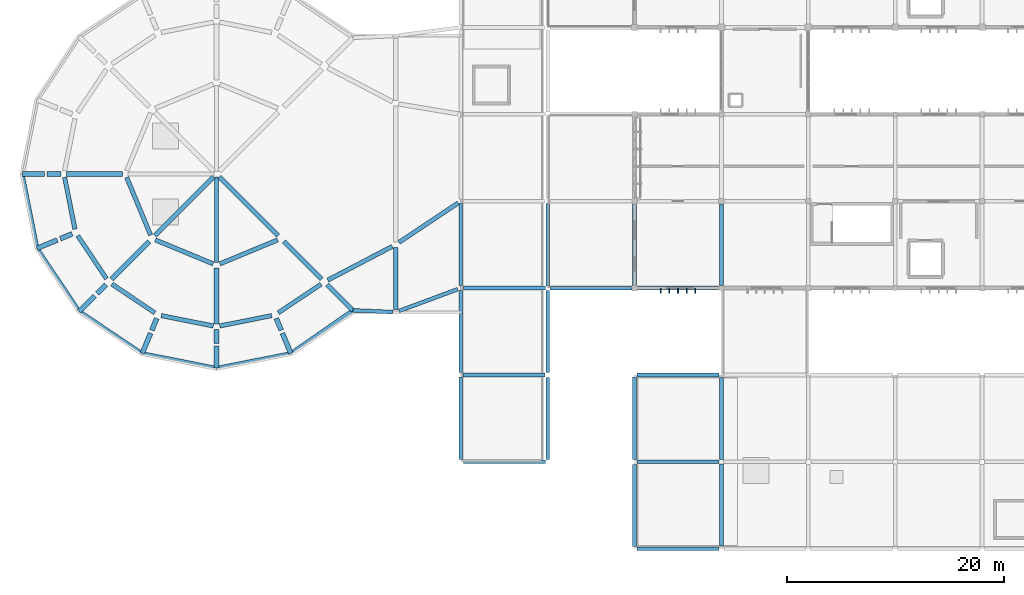
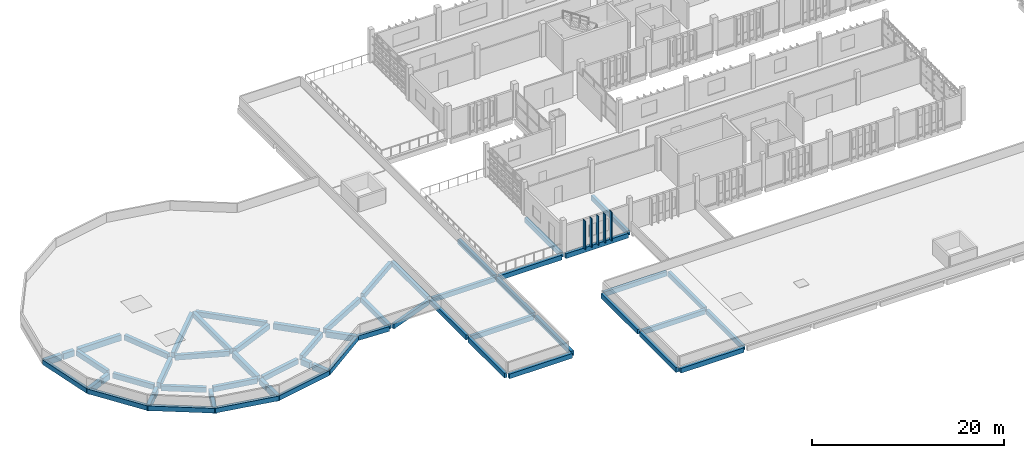
# One storey, part 2 of 48: 60 beams, 5 members.
"""IFC4 building model written with IfcOpenShell, lengths in metres."""

from ifc_helpers import new_model, si_unit, direction, frame, origin, origin_2d, place, context, subcontext, project, spatial, rectangle, extrude, material, material_profile, profile_set, type_object, element, save


model = new_model("IFC4")

# Units and contexts
model_context = context("Model", 3, precision=1e-05, world=origin(), true_north=direction((0.0, 1.0)))
body_context = subcontext(model_context, "Body", "Model", "MODEL_VIEW")
ifc_project = project(units=[si_unit("LENGTHUNIT", "METRE"), si_unit("AREAUNIT", "SQUARE_METRE"), si_unit("VOLUMEUNIT", "CUBIC_METRE"), si_unit("PLANEANGLEUNIT", "RADIAN"), si_unit("MASSUNIT", "GRAM", prefix="KILO")], contexts=[model_context])

# Site, building, storey
site_placement = place(None, origin())
site = spatial("IfcSite", under=ifc_project, at=site_placement, CompositionType="ELEMENT")
building_placement = place(site_placement, origin())
building = spatial("IfcBuilding", under=site, at=building_placement, Name="Jelvoka-Kovrelna Polytechnic", CompositionType="ELEMENT")
storey_placement = place(building_placement, frame((0.0, 0.0, 22.199951171875)))
storey = spatial("IfcBuildingStorey", under=building, at=storey_placement, Name="L06", CompositionType="ELEMENT", Elevation=22.199951171875)

# Beams
ifc_material_1 = material(Name="Concrete C35/45", Category="concrete")
ifc_material_profile_1 = material_profile(ifc_material_1, rectangle(XDim=0.35009765625, YDim=0.60009765625, at=origin_2d()), Name="RC 350x600")
ifc_profile_set_1 = profile_set([ifc_material_profile_1], Name="Concrete C35/45")
beam_type_1 = type_object("IfcBeamType", Name="Beam_RC_350x600", PredefinedType="BEAM", material=ifc_profile_set_1)
for number, where, z_axis, x_axis, name in (
    (1, (64.0, 32.2548828125, -0.5400390625), (0.0, 1.0, 0.0), (-1.0, 0.0, 0.0), "L06 beam 1638"),
    (2, (72.0, 32.2548828125, -0.5400390625), (0.0, 1.0, 0.0), (-1.0, 0.0, 0.0), "L06 beam 1640"),
):
    element("IfcBeam", number, at=place(storey_placement, frame(where, z_axis=z_axis, x_axis=x_axis)), inside=storey, type_object=beam_type_1, Name=name, PredefinedType="BEAM", context=body_context, shape_type="SweptSolid", body=[
        extrude(rectangle(XDim=0.35009765625, YDim=0.60009765625, at=origin_2d()), origin(), (0.0, 0.0, 1.0), 7.490234375),
    ])
for number, where, z_axis, x_axis, name in (
    (3, (56.0, 32.205078125, -0.52001953125), (0.0, 1.0, 0.0), (-1.0, 0.0, 0.0), "L06 beam 1779"),
    (4, (64.22998046875, 16.0, -0.5400390625), (1.0, 0.0, 0.0), (0.0, 1.0, 0.0), "L06 beam 2112"),
    (5, (64.0, 8.205078125, -0.5400390625), (0.0, 1.0, 0.0), (-1.0, 0.0, 0.0), "L06 beam 2134"),
    (6, (64.0, 16.22998046875, -0.5400390625), (0.0, 1.0, 0.0), (-1.0, 0.0, 0.0), "L06 beam 2135"),
    (7, (72.0, 8.22998046875, -0.5400390625), (0.0, 1.0, 0.0), (-1.0, 0.0, 0.0), "L06 beam 2136"),
    (8, (72.0, 16.205078125, -0.5400390625), (0.0, 1.0, 0.0), (-1.0, 0.0, 0.0), "L06 beam 2137"),
    (9, (48.205078125, 24.0, -0.510009765625), (1.0, 0.0, 0.0), (0.0, 1.0, 0.0), "L06 beam 2159"),
    (10, (48.22998046875, 32.0, -0.510009765625), (1.0, 0.0, 0.0), (0.0, 1.0, 0.0), "L06 beam 2160"),
    (11, (48.0, 16.22998046875, -0.510009765625), (0.0, 1.0, 0.0), (-1.0, 0.0, 0.0), "L06 beam 2166"),
    (12, (48.0, 24.205078125, -0.510009765625), (0.0, 1.0, 0.0), (-1.0, 0.0, 0.0), "L06 beam 2167"),
    (13, (48.0, 32.22998046875, -0.510009765625), (0.0, 1.0, 0.0), (-1.0, 0.0, 0.0), "L06 beam 2168"),
    (14, (56.0, 16.205078125, -0.510009765625), (0.0, 1.0, 0.0), (-1.0, 0.0, 0.0), "L06 beam 2173"),
    (15, (56.0, 24.22998046875, -0.510009765625), (0.0, 1.0, 0.0), (-1.0, 0.0, 0.0), "L06 beam 2174"),
):
    element("IfcBeam", number, at=place(storey_placement, frame(where, z_axis=z_axis, x_axis=x_axis)), inside=storey, type_object=beam_type_1, Name=name, PredefinedType="BEAM", context=body_context, shape_type="SweptSolid", body=[
        extrude(rectangle(XDim=0.35009765625, YDim=0.60009765625, at=origin_2d()), origin(), (0.0, 0.0, 1.0), 7.56494140625),
    ])
ifc_material_2 = material(Name="Concrete C40/50", Category="concrete")
ifc_material_profile_2 = material_profile(ifc_material_2, rectangle(XDim=0.39990234375, YDim=0.64990234375, at=origin_2d()), Name="RC 400x650")
ifc_profile_set_2 = profile_set([ifc_material_profile_2], Name="Concrete C40/50")
beam_type_2 = type_object("IfcBeamType", Name="Beam_RC_400x650", PredefinedType="BEAM", material=ifc_profile_set_2)
beam_1_placement = place(storey_placement, frame((25.239013671875, 42.239013671875, -0.574951171875), z_axis=(-0.707106781187, -0.707106781187, 0.0), x_axis=(0.707106781187, -0.707106781187, 0.0)))
element("IfcBeam", 16, at=beam_1_placement, inside=storey, type_object=beam_type_2, Name="L06 beam 2676", PredefinedType="BEAM", context=body_context, shape_type="SweptSolid", body=[
    extrude(rectangle(XDim=0.39990234375, YDim=0.64990234375, at=origin_2d()), origin(), (0.0, 0.0, 1.0), 7.661865234375),
])
beam_2_placement = place(storey_placement, frame((25.5, 42.2451171875, -0.574951171875), z_axis=(0.0, -1.0, 0.0), x_axis=(1.0, 0.0, 0.0)))
element("IfcBeam", 17, at=beam_2_placement, inside=storey, type_object=beam_type_2, Name="L06 beam 2678", PredefinedType="BEAM", context=body_context, shape_type="SweptSolid", body=[
    extrude(rectangle(XDim=0.39990234375, YDim=0.64990234375, at=origin_2d()), origin(), (0.0, 0.0, 1.0), 7.89013671875),
])
beam_3_placement = place(storey_placement, frame((25.760986328125, 42.239013671875, -0.574951171875), z_axis=(0.707106781187, -0.707106781187, 0.0), x_axis=(0.707106781187, 0.707106781187, 0.0)))
element("IfcBeam", 18, at=beam_3_placement, inside=storey, type_object=beam_type_2, Name="L06 beam 2680", PredefinedType="BEAM", context=body_context, shape_type="SweptSolid", body=[
    extrude(rectangle(XDim=0.39990234375, YDim=0.64990234375, at=origin_2d()), origin(), (0.0, 0.0, 1.0), 7.661865234375),
])
for number, where, z_axis, x_axis, name in (
    (19, (17.229736328125, 42.1865234375, -0.574951171875), (0.382694255535, -0.923875049333, 0.0), (0.923875049333, 0.382694255535, 0.0), "L06 beam 2685"),
    (20, (19.873779296875, 36.430419921875, -0.574951171875), (0.923875049333, -0.382694255535, 0.0), (0.382694255535, 0.923875049333, 0.0), "L06 beam 2686"),
    (21, (25.8134765625, 34.229736328125, -0.574951171875), (0.923875049333, 0.382694255535, 0.0), (-0.382694255535, 0.923875049333, 0.0), "L06 beam 2687"),
):
    element("IfcBeam", number, at=place(storey_placement, frame(where, z_axis=z_axis, x_axis=x_axis)), inside=storey, type_object=beam_type_2, Name=name, PredefinedType="BEAM", context=body_context, shape_type="SweptSolid", body=[
        extrude(rectangle(XDim=0.39990234375, YDim=0.64990234375, at=origin_2d()), origin(), (0.0, 0.0, 1.0), 5.75048828125),
    ])
beam_4_placement = place(storey_placement, frame((11.50927734375, 42.202392578125, -0.574951171875), z_axis=(0.19505666289, -0.980791975019, 0.0), x_axis=(0.980791975019, 0.19505666289, 0.0)))
element("IfcBeam", 22, at=beam_4_placement, inside=storey, type_object=beam_type_2, Name="L06 beam 2694", PredefinedType="BEAM", context=body_context, shape_type="SweptSolid", body=[
    extrude(rectangle(XDim=0.39990234375, YDim=0.64990234375, at=origin_2d()), origin(), (0.0, 0.0, 1.0), 4.875244140625),
])
for number, where, z_axis, x_axis, name in (
    (23, (12.72021484375, 36.82275390625, -0.574951171875), (0.555552233357, -0.831481639011, 0.0), (0.831481639011, 0.555552233357, 0.0), "L06 beam 2695"),
    (24, (15.865478515625, 32.3642578125, -0.574951171875), (0.831481639011, -0.555552233357, 0.0), (0.555552233357, 0.831481639011, 0.0), "L06 beam 2696"),
):
    element("IfcBeam", number, at=place(storey_placement, frame(where, z_axis=z_axis, x_axis=x_axis)), inside=storey, type_object=beam_type_2, Name=name, PredefinedType="BEAM", context=body_context, shape_type="SweptSolid", body=[
        extrude(rectangle(XDim=0.39990234375, YDim=0.64990234375, at=origin_2d()), origin(), (0.0, 0.0, 1.0), 4.75927734375),
    ])
for number, where, z_axis, x_axis, name in (
    (25, (20.4208984375, 29.460205078125, -0.574951171875), (0.980791975019, -0.19505666289, 0.0), (0.19505666289, 0.980791975019, 0.0), "L06 beam 2697"),
    (26, (25.797607421875, 28.50927734375, -0.574951171875), (0.980791975019, 0.19505666289, 0.0), (-0.19505666289, 0.980791975019, 0.0), "L06 beam 2698"),
):
    element("IfcBeam", number, at=place(storey_placement, frame(where, z_axis=z_axis, x_axis=x_axis)), inside=storey, type_object=beam_type_2, Name=name, PredefinedType="BEAM", context=body_context, shape_type="SweptSolid", body=[
        extrude(rectangle(XDim=0.39990234375, YDim=0.64990234375, at=origin_2d()), origin(), (0.0, 0.0, 1.0), 4.875244140625),
    ])
beam_5_placement = place(storey_placement, frame((31.17724609375, 29.72021484375, -0.574951171875), z_axis=(0.831481639011, 0.555552233357, 0.0), x_axis=(-0.555552233357, 0.831481639011, 0.0)))
element("IfcBeam", 27, at=beam_5_placement, inside=storey, type_object=beam_type_2, Name="L06 beam 2699", PredefinedType="BEAM", context=body_context, shape_type="SweptSolid", body=[
    extrude(rectangle(XDim=0.39990234375, YDim=0.64990234375, at=origin_2d()), origin(), (0.0, 0.0, 1.0), 4.75927734375),
])
beam_6_placement = place(storey_placement, frame((35.74609375, 32.727783203125, -0.574951171875), z_axis=(0.886049449052, 0.463590739591, 0.0), x_axis=(-0.463590739591, 0.886049449052, 0.0)))
element("IfcBeam", 28, at=beam_6_placement, inside=storey, type_object=beam_type_2, Name="L06 beam 2742", PredefinedType="BEAM", context=body_context, shape_type="SweptSolid", body=[
    extrude(rectangle(XDim=0.39990234375, YDim=0.64990234375, at=origin_2d()), origin(), (0.0, 0.0, 1.0), 6.707275390625),
])
beam_7_placement = place(storey_placement, frame((42.30078125, 36.200439453125, -0.574951171875), z_axis=(0.832056022005, 0.554691604629, 0.0), x_axis=(-0.554691604629, 0.832056022005, 0.0)))
element("IfcBeam", 29, at=beam_7_placement, inside=storey, type_object=beam_type_2, Name="L06 beam 2743", PredefinedType="BEAM", context=body_context, shape_type="SweptSolid", body=[
    extrude(rectangle(XDim=0.39990234375, YDim=0.64990234375, at=origin_2d()), origin(), (0.0, 0.0, 1.0), 6.5576171875),
])
beam_8_placement = place(storey_placement, frame((42.0, 30.027099609375, -0.574951171875), z_axis=(0.0, 1.0, 0.0), x_axis=(-1.0, 0.0, 0.0)))
element("IfcBeam", 30, at=beam_8_placement, inside=storey, type_object=beam_type_2, Name="L06 beam 2744", PredefinedType="BEAM", context=body_context, shape_type="SweptSolid", body=[
    extrude(rectangle(XDim=0.39990234375, YDim=0.64990234375, at=origin_2d()), origin(), (0.0, 0.0, 1.0), 5.718017578125),
])
ifc_material_3 = material(Name="Concrete C40/50", Category="concrete")
ifc_material_profile_3 = material_profile(ifc_material_3, rectangle(XDim=0.449951171875, YDim=0.75, at=origin_2d()), Name="RC 450x750")
ifc_profile_set_3 = profile_set([ifc_material_profile_3], Name="Concrete C40/50")
beam_type_3 = type_object("IfcBeamType", Name="Beam_RC_450x750", PredefinedType="BEAM", material=ifc_profile_set_3)
beam_9_placement = place(storey_placement, frame((16.844970703125, 42.5, -0.625), z_axis=(-1.0, 0.0, 0.0), x_axis=(0.0, -1.0, 0.0)))
element("IfcBeam", 31, at=beam_9_placement, inside=storey, type_object=beam_type_3, Name="L06 beam 2675", PredefinedType="BEAM", context=body_context, shape_type="SweptSolid", body=[
    extrude(rectangle(XDim=0.449951171875, YDim=0.75, at=origin_2d()), origin(), (0.0, 0.0, 1.0), 5.139892578125),
])
beam_10_placement = place(storey_placement, frame((19.29931640625, 36.29931640625, -0.625), z_axis=(-0.707106781187, -0.707106781187, 0.0), x_axis=(0.707106781187, -0.707106781187, 0.0)))
element("IfcBeam", 32, at=beam_10_placement, inside=storey, type_object=beam_type_3, Name="L06 beam 2677", PredefinedType="BEAM", context=body_context, shape_type="SweptSolid", body=[
    extrude(rectangle(XDim=0.449951171875, YDim=0.75, at=origin_2d()), origin(), (0.0, 0.0, 1.0), 4.912109375),
])
beam_11_placement = place(storey_placement, frame((25.5, 33.844970703125, -0.625), z_axis=(0.0, -1.0, 0.0), x_axis=(1.0, 0.0, 0.0)))
element("IfcBeam", 33, at=beam_11_placement, inside=storey, type_object=beam_type_3, Name="L06 beam 2679", PredefinedType="BEAM", context=body_context, shape_type="SweptSolid", body=[
    extrude(rectangle(XDim=0.449951171875, YDim=0.75, at=origin_2d()), origin(), (0.0, 0.0, 1.0), 5.139892578125),
])
beam_12_placement = place(storey_placement, frame((31.70068359375, 36.29931640625, -0.625), z_axis=(0.707106781187, -0.707106781187, 0.0), x_axis=(0.707106781187, 0.707106781187, 0.0)))
element("IfcBeam", 34, at=beam_12_placement, inside=storey, type_object=beam_type_3, Name="L06 beam 2681", PredefinedType="BEAM", context=body_context, shape_type="SweptSolid", body=[
    extrude(rectangle(XDim=0.449951171875, YDim=0.75, at=origin_2d()), origin(), (0.0, 0.0, 1.0), 4.912109375),
])
beam_13_placement = place(storey_placement, frame((11.195068359375, 42.5, -0.625), z_axis=(-1.0, 0.0, 0.0), x_axis=(0.0, -1.0, 0.0)))
element("IfcBeam", 35, at=beam_13_placement, inside=storey, type_object=beam_type_3, Name="L06 beam 2711", PredefinedType="BEAM", context=body_context, shape_type="SweptSolid", body=[
    extrude(rectangle(XDim=0.449951171875, YDim=0.75, at=origin_2d()), origin(), (0.0, 0.0, 1.0), 1.30810546875),
])
beam_14_placement = place(storey_placement, frame((9.673095703125, 42.5, -0.625), z_axis=(-1.0, 0.0, 0.0), x_axis=(0.0, -1.0, 0.0)))
element("IfcBeam", 36, at=beam_14_placement, inside=storey, type_object=beam_type_3, Name="L06 beam 2712", PredefinedType="BEAM", context=body_context, shape_type="SweptSolid", body=[
    extrude(rectangle(XDim=0.449951171875, YDim=0.75, at=origin_2d()), origin(), (0.0, 0.0, 1.0), 2.052978515625),
])
beam_15_placement = place(storey_placement, frame((12.2060546875, 36.993408203125, -0.625), z_axis=(-0.923903833656, -0.382624758943, 0.0), x_axis=(0.382624758943, -0.923903833656, 0.0)))
element("IfcBeam", 37, at=beam_15_placement, inside=storey, type_object=beam_type_3, Name="L06 beam 2713", PredefinedType="BEAM", context=body_context, shape_type="SweptSolid", body=[
    extrude(rectangle(XDim=0.449951171875, YDim=0.75, at=origin_2d()), origin(), (0.0, 0.0, 1.0), 1.184814453125),
])
beam_16_placement = place(storey_placement, frame((10.841796875, 36.428466796875, -0.625), z_axis=(-0.923885350966, -0.38266938507, 0.0), x_axis=(0.38266938507, -0.923885350966, 0.0)))
element("IfcBeam", 38, at=beam_16_placement, inside=storey, type_object=beam_type_3, Name="L06 beam 2714", PredefinedType="BEAM", context=body_context, shape_type="SweptSolid", body=[
    extrude(rectangle(XDim=0.449951171875, YDim=0.75, at=origin_2d()), origin(), (0.0, 0.0, 1.0), 2.01416015625),
])
beam_17_placement = place(storey_placement, frame((15.30419921875, 32.30419921875, -0.625), z_axis=(-0.707106781187, -0.707106781187, 0.0), x_axis=(0.707106781187, -0.707106781187, 0.0)))
element("IfcBeam", 39, at=beam_17_placement, inside=storey, type_object=beam_type_3, Name="L06 beam 2715", PredefinedType="BEAM", context=body_context, shape_type="SweptSolid", body=[
    extrude(rectangle(XDim=0.449951171875, YDim=0.75, at=origin_2d()), origin(), (0.0, 0.0, 1.0), 1.14111328125),
])
beam_18_placement = place(storey_placement, frame((14.271484375, 31.271484375, -0.625), z_axis=(-0.707106781187, -0.707106781187, 0.0), x_axis=(0.707106781187, -0.707106781187, 0.0)))
element("IfcBeam", 40, at=beam_18_placement, inside=storey, type_object=beam_type_3, Name="L06 beam 2716", PredefinedType="BEAM", context=body_context, shape_type="SweptSolid", body=[
    extrude(rectangle(XDim=0.449951171875, YDim=0.75, at=origin_2d()), origin(), (0.0, 0.0, 1.0), 2.00048828125),
])
beam_19_placement = place(storey_placement, frame((19.993408203125, 29.2060546875, -0.625), z_axis=(-0.382624758943, -0.923903833656, 0.0), x_axis=(0.923903833656, -0.382624758943, 0.0)))
element("IfcBeam", 41, at=beam_19_placement, inside=storey, type_object=beam_type_3, Name="L06 beam 2717", PredefinedType="BEAM", context=body_context, shape_type="SweptSolid", body=[
    extrude(rectangle(XDim=0.449951171875, YDim=0.75, at=origin_2d()), origin(), (0.0, 0.0, 1.0), 1.184814453125),
])
beam_20_placement = place(storey_placement, frame((19.428466796875, 27.841796875, -0.625), z_axis=(-0.38266938507, -0.923885350966, 0.0), x_axis=(0.923885350966, -0.38266938507, 0.0)))
element("IfcBeam", 42, at=beam_20_placement, inside=storey, type_object=beam_type_3, Name="L06 beam 2718", PredefinedType="BEAM", context=body_context, shape_type="SweptSolid", body=[
    extrude(rectangle(XDim=0.449951171875, YDim=0.75, at=origin_2d()), origin(), (0.0, 0.0, 1.0), 2.01416015625),
])
beam_21_placement = place(storey_placement, frame((25.5, 28.195068359375, -0.625), z_axis=(0.0, -1.0, 0.0), x_axis=(1.0, 0.0, 0.0)))
element("IfcBeam", 43, at=beam_21_placement, inside=storey, type_object=beam_type_3, Name="L06 beam 2719", PredefinedType="BEAM", context=body_context, shape_type="SweptSolid", body=[
    extrude(rectangle(XDim=0.449951171875, YDim=0.75, at=origin_2d()), origin(), (0.0, 0.0, 1.0), 1.30810546875),
])
beam_22_placement = place(storey_placement, frame((25.5, 26.673095703125, -0.625), z_axis=(0.0, -1.0, 0.0), x_axis=(1.0, 0.0, 0.0)))
element("IfcBeam", 44, at=beam_22_placement, inside=storey, type_object=beam_type_3, Name="L06 beam 2720", PredefinedType="BEAM", context=body_context, shape_type="SweptSolid", body=[
    extrude(rectangle(XDim=0.449951171875, YDim=0.75, at=origin_2d()), origin(), (0.0, 0.0, 1.0), 2.052978515625),
])
beam_23_placement = place(storey_placement, frame((31.006591796875, 29.2060546875, -0.625), z_axis=(0.382624758943, -0.923903833656, 0.0), x_axis=(0.923903833656, 0.382624758943, 0.0)))
element("IfcBeam", 45, at=beam_23_placement, inside=storey, type_object=beam_type_3, Name="L06 beam 2721", PredefinedType="BEAM", context=body_context, shape_type="SweptSolid", body=[
    extrude(rectangle(XDim=0.449951171875, YDim=0.75, at=origin_2d()), origin(), (0.0, 0.0, 1.0), 1.184814453125),
])
beam_24_placement = place(storey_placement, frame((31.571533203125, 27.841796875, -0.625), z_axis=(0.38266938507, -0.923885350966, 0.0), x_axis=(0.923885350966, 0.38266938507, 0.0)))
element("IfcBeam", 46, at=beam_24_placement, inside=storey, type_object=beam_type_3, Name="L06 beam 2722", PredefinedType="BEAM", context=body_context, shape_type="SweptSolid", body=[
    extrude(rectangle(XDim=0.449951171875, YDim=0.75, at=origin_2d()), origin(), (0.0, 0.0, 1.0), 2.01416015625),
])
beam_25_placement = place(storey_placement, frame((35.69580078125, 32.30419921875, -0.625), z_axis=(0.707106781187, -0.707106781187, 0.0), x_axis=(0.707106781187, 0.707106781187, 0.0)))
element("IfcBeam", 47, at=beam_25_placement, inside=storey, type_object=beam_type_3, Name="L06 beam 2723", PredefinedType="BEAM", context=body_context, shape_type="SweptSolid", body=[
    extrude(rectangle(XDim=0.449951171875, YDim=0.75, at=origin_2d()), origin(), (0.0, 0.0, 1.0), 3.330810546875),
])

# Members
ifc_material_4 = material(Name="Precast concrete C40/50", Category="concrete")
ifc_material_profile_4 = material_profile(ifc_material_4, rectangle(XDim=0.10009765625, YDim=0.449951171875, at=origin_2d()), Name="PC 100x450")
ifc_profile_set_4 = profile_set([ifc_material_profile_4], Name="Precast concrete C40/50")
member_type = type_object("IfcMemberType", Name="Louvre_Fin_100x450", PredefinedType="USERDEFINED", material=ifc_profile_set_4)
for number, where, z_axis, x_axis, name in (
    (48, (66.39990234375, 31.735107421875, -0.27001953125), (0.0, 0.0, 1.0), (1.0, 0.0, 0.0), "L06 B2W south vertical solar louvre fin 0811"),
    (49, (67.199951171875, 31.735107421875, -0.27001953125), (0.0, 0.0, 1.0), (1.0, 0.0, 0.0), "L06 B2W south vertical solar louvre fin 0812"),
    (50, (68.0, 31.735107421875, -0.27001953125), (0.0, 0.0, 1.0), (1.0, 0.0, 0.0), "L06 B2W south vertical solar louvre fin 0813"),
    (51, (68.800048828125, 31.735107421875, -0.27001953125), (0.0, 0.0, 1.0), (1.0, 0.0, 0.0), "L06 B2W south vertical solar louvre fin 0814"),
    (52, (69.60009765625, 31.735107421875, -0.27001953125), (0.0, 0.0, 1.0), (1.0, 0.0, 0.0), "L06 B2W south vertical solar louvre fin 0815"),
):
    element("IfcMember", number, at=place(storey_placement, frame(where, z_axis=z_axis, x_axis=x_axis)), inside=storey, type_object=member_type, Name=name, ObjectType="SUNSHADE", PredefinedType="USERDEFINED", context=body_context, shape_type="SweptSolid", body=[
        extrude(rectangle(XDim=0.10009765625, YDim=0.449951171875, at=origin_2d()), origin(), (0.0, 0.0, 1.0), 3.655029296875),
    ])

# Beams
ifc_material_5 = material(Name="Concrete C40/50", Category="concrete")
ifc_material_profile_5 = material_profile(ifc_material_5, rectangle(XDim=0.35009765625, YDim=0.60009765625, at=origin_2d()), Name="RC 350x600")
ifc_profile_set_5 = profile_set([ifc_material_profile_5], Name="Concrete C40/50")
beam_type_4 = type_object("IfcBeamType", Name="Spandrel_RC_350x600", PredefinedType="SPANDREL", material=ifc_profile_set_5)
beam_26_placement = place(storey_placement, frame((64.2548828125, 32.0, -0.5400390625), z_axis=(1.0, 0.0, 0.0), x_axis=(0.0, 1.0, 0.0)))
element("IfcBeam", 53, at=beam_26_placement, inside=storey, type_object=beam_type_4, Name="L06 beam 1621", PredefinedType="SPANDREL", context=body_context, shape_type="SweptSolid", body=[
    extrude(rectangle(XDim=0.35009765625, YDim=0.60009765625, at=origin_2d()), origin(), (0.0, 0.0, 1.0), 7.490234375),
])
beam_27_placement = place(storey_placement, frame((56.205078125, 32.0, -0.52001953125), z_axis=(1.0, 0.0, 0.0), x_axis=(0.0, 1.0, 0.0)))
element("IfcBeam", 54, at=beam_27_placement, inside=storey, type_object=beam_type_4, Name="L06 beam 1776", PredefinedType="SPANDREL", context=body_context, shape_type="SweptSolid", body=[
    extrude(rectangle(XDim=0.35009765625, YDim=0.60009765625, at=origin_2d()), origin(), (0.0, 0.0, 1.0), 7.5400390625),
])
for number, where, z_axis, x_axis, name in (
    (55, (64.205078125, 8.0, -0.5400390625), (1.0, 0.0, 0.0), (0.0, 1.0, 0.0), "L06 beam 2101"),
    (56, (64.205078125, 24.0, -0.5400390625), (1.0, 0.0, 0.0), (0.0, 1.0, 0.0), "L06 beam 2123"),
    (57, (48.22998046875, 16.0, -0.510009765625), (1.0, 0.0, 0.0), (0.0, 1.0, 0.0), "L06 beam 2158"),
):
    element("IfcBeam", number, at=place(storey_placement, frame(where, z_axis=z_axis, x_axis=x_axis)), inside=storey, type_object=beam_type_4, Name=name, PredefinedType="SPANDREL", context=body_context, shape_type="SweptSolid", body=[
        extrude(rectangle(XDim=0.35009765625, YDim=0.60009765625, at=origin_2d()), origin(), (0.0, 0.0, 1.0), 7.56494140625),
    ])
beam_28_placement = place(storey_placement, frame((7.6201171875, 42.5, -0.550048828125), z_axis=(0.19506615109, -0.98079008799, 0.0), x_axis=(0.98079008799, 0.19506615109, 0.0)))
element("IfcBeam", 58, at=beam_28_placement, inside=storey, type_object=beam_type_4, Name="L06 beam 2730", PredefinedType="SPANDREL", context=body_context, shape_type="SweptSolid", body=[
    extrude(rectangle(XDim=0.35009765625, YDim=0.60009765625, at=origin_2d()), origin(), (0.0, 0.0, 1.0), 6.976318359375),
])
for number, where, z_axis, x_axis, name in (
    (59, (8.98095703125, 35.65771484375, -0.550048828125), (0.555572061125, -0.831468390799, 0.0), (0.831468390799, 0.555572061125, 0.0), "L06 beam 2731"),
    (60, (12.85693359375, 29.85693359375, -0.550048828125), (0.831468390799, -0.555572061125, 0.0), (0.555572061125, 0.831468390799, 0.0), "L06 beam 2732"),
):
    element("IfcBeam", number, at=place(storey_placement, frame(where, z_axis=z_axis, x_axis=x_axis)), inside=storey, type_object=beam_type_4, Name=name, PredefinedType="SPANDREL", context=body_context, shape_type="SweptSolid", body=[
        extrude(rectangle(XDim=0.35009765625, YDim=0.60009765625, at=origin_2d()), origin(), (0.0, 0.0, 1.0), 6.9765625),
    ])
for number, where, z_axis, x_axis, name in (
    (61, (18.65771484375, 25.98095703125, -0.550048828125), (0.98079008799, -0.19506615109, 0.0), (0.19506615109, 0.98079008799, 0.0), "L06 beam 2733"),
    (62, (25.5, 24.6201171875, -0.550048828125), (0.98079008799, 0.19506615109, 0.0), (-0.19506615109, 0.98079008799, 0.0), "L06 beam 2734"),
):
    element("IfcBeam", number, at=place(storey_placement, frame(where, z_axis=z_axis, x_axis=x_axis)), inside=storey, type_object=beam_type_4, Name=name, PredefinedType="SPANDREL", context=body_context, shape_type="SweptSolid", body=[
        extrude(rectangle(XDim=0.35009765625, YDim=0.60009765625, at=origin_2d()), origin(), (0.0, 0.0, 1.0), 6.976318359375),
    ])
beam_29_placement = place(storey_placement, frame((32.34228515625, 25.98095703125, -0.550048828125), z_axis=(0.821126306312, 0.570746519116, 0.0), x_axis=(-0.570746519116, 0.821126306312, 0.0)))
element("IfcBeam", 63, at=beam_29_placement, inside=storey, type_object=beam_type_4, Name="L06 beam 2735", PredefinedType="SPANDREL", context=body_context, shape_type="SweptSolid", body=[
    extrude(rectangle(XDim=0.35009765625, YDim=0.60009765625, at=origin_2d()), origin(), (0.0, 0.0, 1.0), 6.952392578125),
])
beam_30_placement = place(storey_placement, frame((38.051025390625, 29.948974609375, -0.550048828125), z_axis=(0.998997021188, -0.044776686535, 0.0), x_axis=(0.044776686535, 0.998997021188, 0.0)))
element("IfcBeam", 64, at=beam_30_placement, inside=storey, type_object=beam_type_4, Name="L06 beam 2738", PredefinedType="SPANDREL", context=body_context, shape_type="SweptSolid", body=[
    extrude(rectangle(XDim=0.35009765625, YDim=0.60009765625, at=origin_2d()), origin(), (0.0, 0.0, 1.0), 3.685791015625),
])
beam_31_placement = place(storey_placement, frame((42.312744140625, 29.88818359375, -0.550048828125), z_axis=(0.937462388044, 0.348086585497, 0.0), x_axis=(-0.348086585497, 0.937462388044, 0.0)))
element("IfcBeam", 65, at=beam_31_placement, inside=storey, type_object=beam_type_4, Name="L06 beam 2739", PredefinedType="SPANDREL", context=body_context, shape_type="SweptSolid", body=[
    extrude(rectangle(XDim=0.35009765625, YDim=0.60009765625, at=origin_2d()), origin(), (0.0, 0.0, 1.0), 5.765380859375),
])

save(model, "model.ifc")
